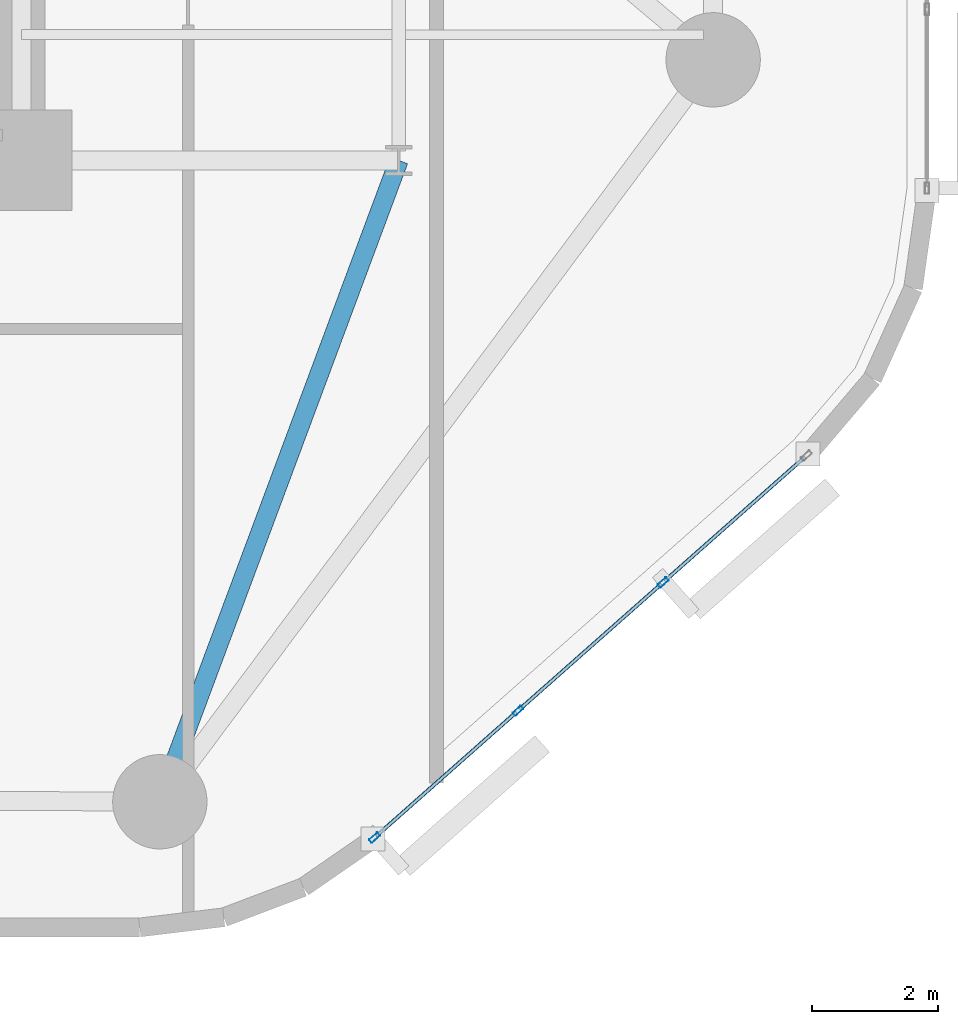
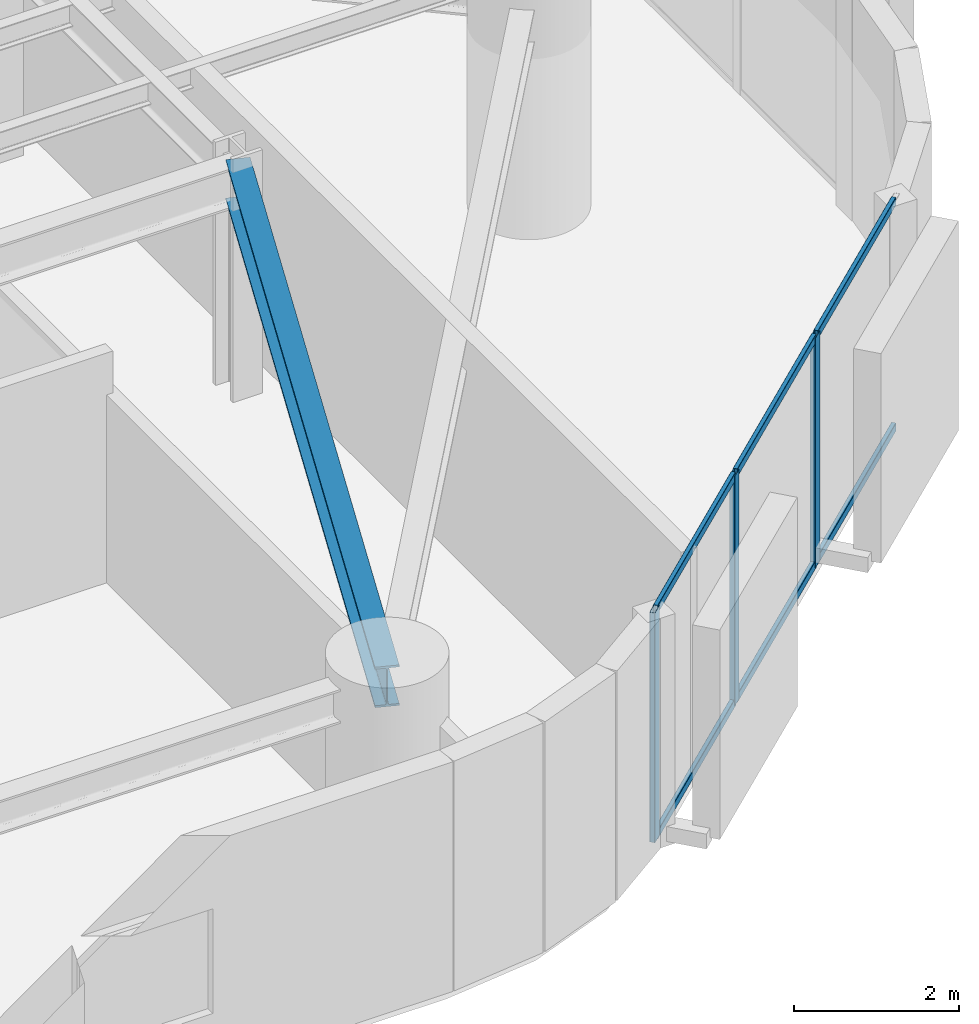
# One storey, part 2 of 16: 9 members, 1 beam, 1 element without a shape of its own.
"""IFC4 building model written with IfcOpenShell, lengths in metres."""

from ifc_helpers import new_model, si_unit, direction, frame, origin, origin_2d, place, context, subcontext, project, spatial, hollow_rectangle, i_section, extrude, material, layer, layer_set, material_profile, profile_set, type_object, element, aggregate, save


model = new_model("IFC4")

# Units and contexts
model_context = context("Model", 3, precision=1e-05, world=origin(), true_north=direction((0.0, 1.0)))
body_context = subcontext(model_context, "Body", "Model", "MODEL_VIEW")
ifc_project = project(units=[si_unit("LENGTHUNIT", "METRE"), si_unit("AREAUNIT", "SQUARE_METRE"), si_unit("VOLUMEUNIT", "CUBIC_METRE"), si_unit("PLANEANGLEUNIT", "RADIAN"), si_unit("MASSUNIT", "GRAM", prefix="KILO")], contexts=[model_context])

# Site, building, storey
site_placement = place(None, origin())
site = spatial("IfcSite", under=ifc_project, at=site_placement, CompositionType="ELEMENT")
building_placement = place(site_placement, origin())
building = spatial("IfcBuilding", under=site, at=building_placement, Name="An Khanh Terracotta Commons", CompositionType="ELEMENT")
storey_placement = place(building_placement, frame((0.0, 0.0, 28.800048828125)))
storey = spatial("IfcBuildingStorey", under=building, at=storey_placement, Name="L07", CompositionType="ELEMENT", Elevation=28.800048828125)

# Beam
ifc_material_1 = material(Name="Steel S355J2", Category="steel")
ifc_material_profile_1 = material_profile(ifc_material_1, i_section(OverallWidth=0.300048828125, OverallDepth=0.60009765625, WebThickness=0.015380859375, FlangeThickness=0.030029296875, FilletRadius=0.027099609375, at=origin_2d()), Name="HEB600")
ifc_profile_set_1 = profile_set([ifc_material_profile_1], Name="Steel S355J2")
beam_type = type_object("IfcBeamType", Name="BM-HEB600", PredefinedType="BEAM", material=ifc_profile_set_1)
beam_placement = place(storey_placement, frame((39.39990234375, 4.199951171875, 3.099853515625), z_axis=(0.349114429862, 0.937080100558, 0.0), x_axis=(-0.937080100558, 0.349114429862, 0.0)))
element("IfcBeam", 1, at=beam_placement, inside=storey, type_object=beam_type, Name="L07 Mega-Column Tie Girder 2", PredefinedType="BEAM", context=body_context, shape_type="SweptSolid", body=[
    extrude(i_section(OverallWidth=0.300048828125, OverallDepth=0.60009765625, WebThickness=0.015380859375, FlangeThickness=0.030029296875, FilletRadius=0.027099609375, at=origin_2d()), origin(), (0.0, 0.0, 1.0), 10.884765625),
])

# Curtain wall, members
ifc_material_2 = material(Name="Anodised Aluminium 6063-T6", Category="aluminium")
ifc_layer = layer(ifc_material_2, 0.199951171875, Name="Anodised Aluminium 6063-T6")
ifc_layer_set = layer_set([ifc_layer], Name="Anodised Aluminium 6063-T6")
curtain_wall_type = type_object("IfcCurtainWallType", Name="CW-SYS-02", PredefinedType="USERDEFINED", material=ifc_layer_set)
curtain_wall_placement = place(storey_placement, origin())
curtain_wall = element("IfcCurtainWall", 2, at=curtain_wall_placement, inside=storey, type_object=curtain_wall_type, Name="L07 CW-02 Unitised Curtain Wall CW-L07-08", ObjectType="UNITISED CURTAIN WALL", PredefinedType="USERDEFINED")
ifc_material_profile_2 = material_profile(ifc_material_2, hollow_rectangle(XDim=0.070068359375, YDim=0.179931640625, WallThickness=0.00390625, InnerFilletRadius=0.00390625, OuterFilletRadius=0.008056640625, at=origin_2d()), Name="RHS180x70x4")
ifc_profile_set_2 = profile_set([ifc_material_profile_2], Name="Anodised Aluminium 6063-T6")
member_type_1 = type_object("IfcMemberType", Name="CWM-RHS180x70x4", PredefinedType="MULLION", material=ifc_profile_set_2)
member_1_placement = place(storey_placement, frame((42.815185546875, 3.629150390625, 0.0), z_axis=(0.0, 0.0, 1.0), x_axis=(-0.662548195415, 0.749019284633, 0.0)))
member_1 = element("IfcMember", 3, at=member_1_placement, type_object=member_type_1, Name="CW-02 mullion 1", PredefinedType="MULLION", context=body_context, shape_type="SweptSolid", body=[
    extrude(hollow_rectangle(XDim=0.070068359375, YDim=0.179931640625, WallThickness=0.00390625, InnerFilletRadius=0.00390625, OuterFilletRadius=0.008056640625, at=origin_2d()), origin(), (0.0, 0.0, 1.0), 3.39990234375),
])
member_2_placement = place(storey_placement, frame((45.095947265625, 5.646728515625, 0.0), z_axis=(0.0, 0.0, 1.0), x_axis=(-0.662548195415, 0.749019284633, 0.0)))
member_2 = element("IfcMember", 4, at=member_2_placement, type_object=member_type_1, Name="CW-02 mullion 2", PredefinedType="MULLION", context=body_context, shape_type="SweptSolid", body=[
    extrude(hollow_rectangle(XDim=0.070068359375, YDim=0.179931640625, WallThickness=0.00390625, InnerFilletRadius=0.00390625, OuterFilletRadius=0.008056640625, at=origin_2d()), origin(), (0.0, 0.0, 1.0), 3.39990234375),
])
member_3_placement = place(storey_placement, frame((47.403076171875, 7.687255859375, 0.0), z_axis=(0.0, 0.0, 1.0), x_axis=(-0.662548195415, 0.749019284633, 0.0)))
member_3 = element("IfcMember", 5, at=member_3_placement, type_object=member_type_1, Name="CW-02 mullion 3", PredefinedType="MULLION", context=body_context, shape_type="SweptSolid", body=[
    extrude(hollow_rectangle(XDim=0.070068359375, YDim=0.179931640625, WallThickness=0.00390625, InnerFilletRadius=0.00390625, OuterFilletRadius=0.008056640625, at=origin_2d()), origin(), (0.0, 0.0, 1.0), 3.39990234375),
])
ifc_material_profile_3 = material_profile(ifc_material_2, hollow_rectangle(XDim=0.06005859375, YDim=0.1201171875, WallThickness=0.003662109375, InnerFilletRadius=0.003662109375, OuterFilletRadius=0.007080078125, at=origin_2d()), Name="RHS120x60x3.6")
ifc_profile_set_3 = profile_set([ifc_material_profile_3], Name="Anodised Aluminium 6063-T6")
member_type_2 = type_object("IfcMemberType", Name="CWT-RHS120x60x3.6", PredefinedType="USERDEFINED", material=ifc_profile_set_3)
member_4_placement = place(storey_placement, frame((42.841552734375, 3.65234375, 0.030029296875), z_axis=(0.74899186341, 0.662579194168, 0.0), x_axis=(-0.662579194168, 0.74899186341, 0.0)))
member_4 = element("IfcMember", 6, at=member_4_placement, type_object=member_type_2, Name="CW-02 transom 1.1", ObjectType="TRANSOM", PredefinedType="USERDEFINED", context=body_context, shape_type="SweptSolid", body=[
    extrude(hollow_rectangle(XDim=0.06005859375, YDim=0.1201171875, WallThickness=0.003662109375, InnerFilletRadius=0.003662109375, OuterFilletRadius=0.007080078125, at=origin_2d()), origin(), (0.0, 0.0, 1.0), 2.97509765625),
])
member_5_placement = place(storey_placement, frame((42.841552734375, 3.65234375, 3.369873046875), z_axis=(0.74899186341, 0.662579194168, 0.0), x_axis=(-0.662579194168, 0.74899186341, 0.0)))
member_5 = element("IfcMember", 7, at=member_5_placement, type_object=member_type_2, Name="CW-02 transom 1.2", ObjectType="TRANSOM", PredefinedType="USERDEFINED", context=body_context, shape_type="SweptSolid", body=[
    extrude(hollow_rectangle(XDim=0.06005859375, YDim=0.1201171875, WallThickness=0.003662109375, InnerFilletRadius=0.003662109375, OuterFilletRadius=0.007080078125, at=origin_2d()), origin(), (0.0, 0.0, 1.0), 2.97509765625),
])
member_6_placement = place(storey_placement, frame((45.122314453125, 5.669921875, 0.030029296875), z_axis=(0.749018237701, 0.662549378984, 0.0), x_axis=(-0.662549378984, 0.749018237701, 0.0)))
member_6 = element("IfcMember", 8, at=member_6_placement, type_object=member_type_2, Name="CW-02 transom 2.1", ObjectType="TRANSOM", PredefinedType="USERDEFINED", context=body_context, shape_type="SweptSolid", body=[
    extrude(hollow_rectangle(XDim=0.06005859375, YDim=0.1201171875, WallThickness=0.003662109375, InnerFilletRadius=0.003662109375, OuterFilletRadius=0.007080078125, at=origin_2d()), origin(), (0.0, 0.0, 1.0), 3.009765625),
])
member_7_placement = place(storey_placement, frame((45.122314453125, 5.669921875, 3.369873046875), z_axis=(0.749018237701, 0.662549378984, 0.0), x_axis=(-0.662549378984, 0.749018237701, 0.0)))
member_7 = element("IfcMember", 9, at=member_7_placement, type_object=member_type_2, Name="CW-02 transom 2.2", ObjectType="TRANSOM", PredefinedType="USERDEFINED", context=body_context, shape_type="SweptSolid", body=[
    extrude(hollow_rectangle(XDim=0.06005859375, YDim=0.1201171875, WallThickness=0.003662109375, InnerFilletRadius=0.003662109375, OuterFilletRadius=0.007080078125, at=origin_2d()), origin(), (0.0, 0.0, 1.0), 3.009765625),
])
member_8_placement = place(storey_placement, frame((47.42919921875, 7.71044921875, 0.030029296875), z_axis=(0.74899186341, 0.662579194168, 0.0), x_axis=(-0.662579194168, 0.74899186341, 0.0)))
member_8 = element("IfcMember", 10, at=member_8_placement, type_object=member_type_2, Name="CW-02 transom 3.1", ObjectType="TRANSOM", PredefinedType="USERDEFINED", context=body_context, shape_type="SweptSolid", body=[
    extrude(hollow_rectangle(XDim=0.06005859375, YDim=0.1201171875, WallThickness=0.003662109375, InnerFilletRadius=0.003662109375, OuterFilletRadius=0.007080078125, at=origin_2d()), origin(), (0.0, 0.0, 1.0), 2.97509765625),
])
member_9_placement = place(storey_placement, frame((47.42919921875, 7.71044921875, 3.369873046875), z_axis=(0.74899186341, 0.662579194168, 0.0), x_axis=(-0.662579194168, 0.74899186341, 0.0)))
member_9 = element("IfcMember", 11, at=member_9_placement, type_object=member_type_2, Name="CW-02 transom 3.2", ObjectType="TRANSOM", PredefinedType="USERDEFINED", context=body_context, shape_type="SweptSolid", body=[
    extrude(hollow_rectangle(XDim=0.06005859375, YDim=0.1201171875, WallThickness=0.003662109375, InnerFilletRadius=0.003662109375, OuterFilletRadius=0.007080078125, at=origin_2d()), origin(), (0.0, 0.0, 1.0), 2.97509765625),
])
aggregate(curtain_wall, [member_1, member_2, member_3, member_4, member_5, member_6, member_7, member_8, member_9])

save(model, "model.ifc")
